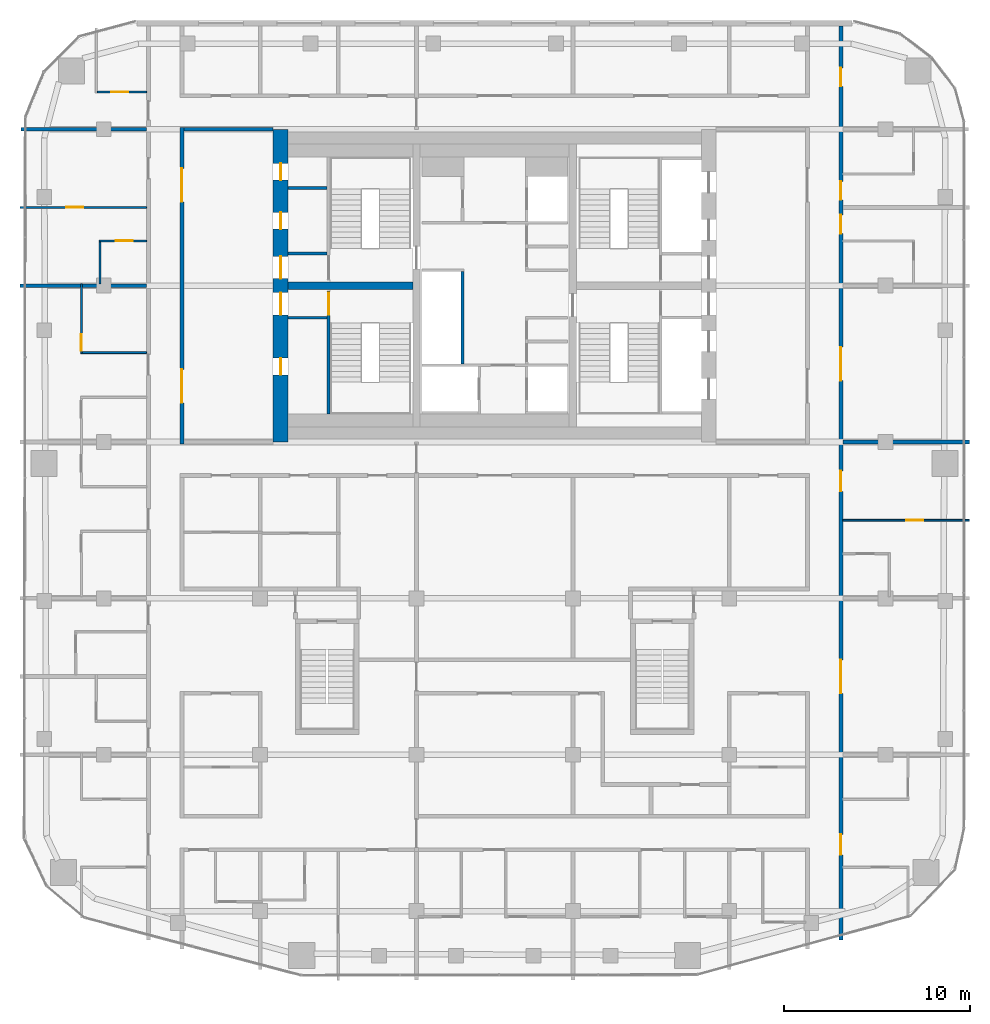
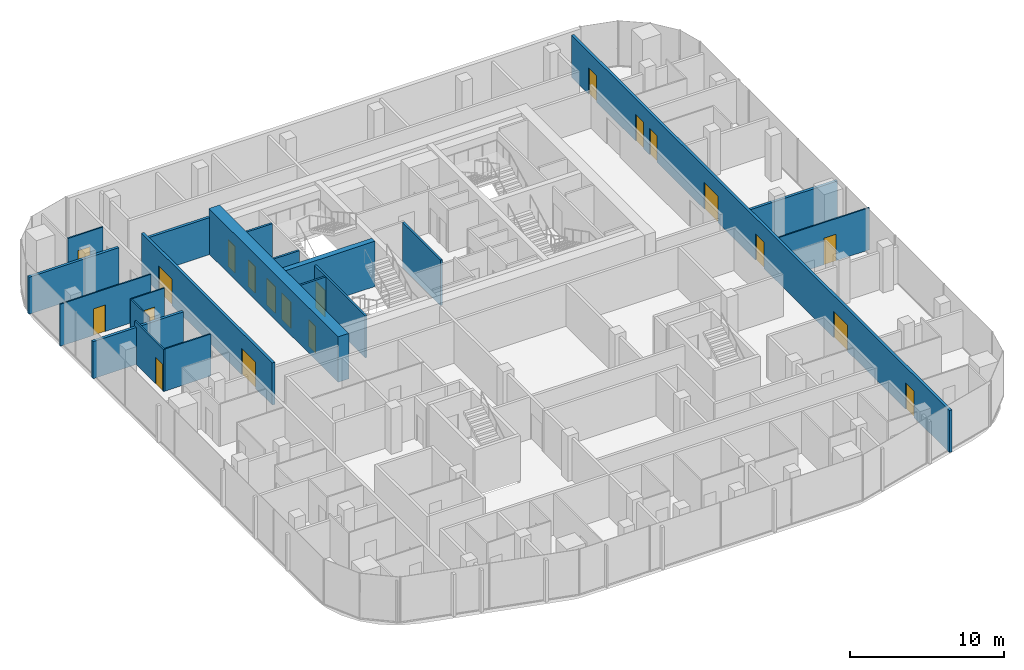
# One storey, part 17 of 21: 20 doors, 20 walls, 20 openings.
"""IFC4 building model written with IfcOpenShell, lengths in metres."""

from ifc_helpers import new_model, si_unit, direction, frame, frame_2d, origin, place, context, subcontext, project, spatial, rectangle, extrude, material, layer, layer_set, type_object, element, fill, save


model = new_model("IFC4")

# Units and contexts
model_context = context("Model", 3, precision=1e-05, world=origin(), true_north=direction((0.0, 1.0)))
body_context = subcontext(model_context, "Body", "Model", "MODEL_VIEW")
ifc_project = project(units=[si_unit("LENGTHUNIT", "METRE"), si_unit("AREAUNIT", "SQUARE_METRE"), si_unit("VOLUMEUNIT", "CUBIC_METRE"), si_unit("PLANEANGLEUNIT", "RADIAN"), si_unit("MASSUNIT", "GRAM", prefix="KILO")], contexts=[model_context])

# Site, building, storey
site_placement = place(None, origin())
site = spatial("IfcSite", under=ifc_project, at=site_placement, CompositionType="ELEMENT")
building_placement = place(site_placement, origin())
building = spatial("IfcBuilding", under=site, at=building_placement, Name="Marenta Gate Hotel Tower", CompositionType="ELEMENT")
storey_placement = place(building_placement, frame((0.0, 0.0, 202.10009765625)))
storey = spatial("IfcBuildingStorey", under=building, at=storey_placement, Name="L46", CompositionType="ELEMENT", Elevation=202.10009765625)

# Wall, openings, doors
ifc_material_1 = material(Name="Concrete blockwork", Category="masonry")
ifc_layer_1 = layer(ifc_material_1, 0.199951171875)
ifc_layer_set_1 = layer_set([ifc_layer_1], Name="Concrete blockwork")
wall_type_1 = type_object("IfcWallType", Name="Core boundary wall 200 REI 180", PredefinedType="PARTITIONING", material=ifc_layer_set_1)
wall_1_placement = place(storey_placement, frame((-16.800048828125, -0.10009765625, 0.0), z_axis=(0.0, 0.0, 1.0), x_axis=(0.0, 1.0, 0.0)))
wall_1 = element("IfcWall", 1, at=wall_1_placement, inside=storey, type_object=wall_type_1, Name="L46-CP-BW-W", PredefinedType="PARTITIONING", context=body_context, shape_type="SweptSolid", body=[
    extrude(rectangle(XDim=17.0, YDim=0.199951171875, at=frame_2d((8.5, 0.0))), origin(), (0.0, 0.0, 1.0), 3.33984375),
])
opening_1_placement = place(wall_1_placement, frame((2.199951171875, 0.0, 0.0)))
opening_1 = element("IfcOpeningElement", 2, at=opening_1_placement, cuts=wall_1, Name="Opening ED-Wa-B", PredefinedType="OPENING", context=body_context, shape_type="SweptSolid", body=[
    extrude(rectangle(XDim=1.800048828125, YDim=2.10009765625, at=frame_2d((0.89990234375, 1.050048828125))), frame((0.0, 0.10009765625, 0.0), z_axis=(0.0, -1.0, 0.0), x_axis=(1.0, 0.0, 0.0)), (0.0, 0.0, 1.0), 0.199951171875),
])
opening_2_placement = place(wall_1_placement, frame((13.0, 0.0, 0.0)))
opening_2 = element("IfcOpeningElement", 3, at=opening_2_placement, cuts=wall_1, Name="Opening ED-Wb-B", PredefinedType="OPENING", context=body_context, shape_type="SweptSolid", body=[
    extrude(rectangle(XDim=1.800048828125, YDim=2.10009765625, at=frame_2d((0.89990234375, 1.050048828125))), frame((0.0, 0.10009765625, 0.0), z_axis=(0.0, -1.0, 0.0), x_axis=(1.0, 0.0, 0.0)), (0.0, 0.0, 1.0), 0.199951171875),
])
ifc_material_2 = material(Name="Steel", Category="steel")
door_type_1 = type_object("IfcDoorType", Name="Core lobby entrance door 1800x2100 EI 60", OperationType="DOUBLE_DOOR_SINGLE_SWING", PredefinedType="DOOR", material=ifc_material_2)
door_1_placement = place(opening_1_placement, origin())
door_1 = element("IfcDoor", 4, at=door_1_placement, inside=storey, type_object=door_type_1, Name="ED-Wa-B", OperationType="DOUBLE_DOOR_SINGLE_SWING", OverallHeight=2.10009765625, OverallWidth=1.800048828125, PredefinedType="DOOR", context=body_context, shape_type="SweptSolid", body=[
    extrude(rectangle(XDim=1.800048828125, YDim=2.10009765625, at=frame_2d((0.89990234375, 1.050048828125))), frame((0.0, 0.02490234375, 0.0), z_axis=(0.0, -1.0, 0.0), x_axis=(1.0, 0.0, 0.0)), (0.0, 0.0, 1.0), 0.050048828125),
])
fill(opening_1, door_1)
door_2_placement = place(opening_2_placement, origin())
door_2 = element("IfcDoor", 5, at=door_2_placement, inside=storey, type_object=door_type_1, Name="ED-Wb-B", OperationType="DOUBLE_DOOR_SINGLE_SWING", OverallHeight=2.10009765625, OverallWidth=1.800048828125, PredefinedType="DOOR", context=body_context, shape_type="SweptSolid", body=[
    extrude(rectangle(XDim=1.800048828125, YDim=2.10009765625, at=frame_2d((0.89990234375, 1.050048828125))), frame((0.0, 0.02490234375, 0.0), z_axis=(0.0, -1.0, 0.0), x_axis=(1.0, 0.0, 0.0)), (0.0, 0.0, 1.0), 0.050048828125),
])
fill(opening_2, door_2)

# Walls
wall_2_placement = place(storey_placement, frame((-16.699951171875, 16.800048828125, 0.0), z_axis=(0.0, 0.0, 1.0), x_axis=(1.0, 0.0, 0.0)))
element("IfcWall", 6, at=wall_2_placement, inside=storey, type_object=wall_type_1, Name="L46-CP-EW-WN", PredefinedType="PARTITIONING", context=body_context, shape_type="SweptSolid", body=[
    extrude(rectangle(XDim=4.800048828125, YDim=0.199951171875, at=frame_2d((2.39990234375, 0.0))), origin(), (0.0, 0.0, 1.0), 2.93994140625),
])
ifc_material_3 = material(Name="Concrete blockwork", Category="masonry")
ifc_layer_2 = layer(ifc_material_3, 0.14990234375)
ifc_layer_set_2 = layer_set([ifc_layer_2], Name="Concrete blockwork")
wall_type_2 = type_object("IfcWallType", Name="Core room partition 150 REI 180", PredefinedType="PARTITIONING", material=ifc_layer_set_2)
for number, where, z_axis, x_axis, name in (
    (7, (-11.10009765625, 6.675048828125, 0.0), (0.0, 0.0, 1.0), (1.0, 0.0, 0.0), "L46-CP-SW-WS-2"),
    (8, (-11.10009765625, 10.125, 0.0), (0.0, 0.0, 1.0), (1.0, 0.0, 0.0), "L46-CP-SW-WN-2"),
    (9, (-11.10009765625, 13.64990234375, 0.0), (0.0, 0.0, 1.0), (1.0, 0.0, 0.0), "L46-CP-RW-WN-1"),
):
    element("IfcWall", number, at=place(storey_placement, frame(where, z_axis=z_axis, x_axis=x_axis)), inside=storey, type_object=wall_type_2, Name=name, PredefinedType="PARTITIONING", context=body_context, shape_type="SweptSolid", body=[
        extrude(rectangle(XDim=2.10009765625, YDim=0.14990234375, at=frame_2d((1.050048828125, 0.0))), origin(), (0.0, 0.0, 1.0), 3.33984375),
    ])
ifc_material_4 = material(Name="Concrete C40", Category="concrete")
ifc_layer_3 = layer(ifc_material_4, 0.14990234375)
ifc_layer_set_3 = layer_set([ifc_layer_3], Name="Concrete C40")
wall_type_3 = type_object("IfcWallType", Name="Core shaft wall 150 REI 180", PredefinedType="SHEAR", material=ifc_layer_set_3)
wall_3_placement = place(storey_placement, frame((-1.72509765625, 4.199951171875, 0.0), z_axis=(0.0, 0.0, 1.0), x_axis=(0.0, 1.0, 0.0)))
element("IfcWall", 10, at=wall_3_placement, inside=storey, type_object=wall_type_3, Name="L46-SHF-CW-W-front", PredefinedType="SHEAR", context=body_context, shape_type="SweptSolid", body=[
    extrude(rectangle(XDim=4.949951171875, YDim=0.14990234375, at=frame_2d((2.47509765625, 0.0))), origin(), (0.0, 0.0, 1.0), 3.599853515625),
])

# Wall, opening, door
ifc_material_5 = material(Name="Concrete C40", Category="concrete")
ifc_layer_4 = layer(ifc_material_5, 0.14990234375)
ifc_layer_set_4 = layer_set([ifc_layer_4], Name="Concrete C40")
wall_type_4 = type_object("IfcWallType", Name="Core stair enclosure wall 150 REI 180", PredefinedType="SHEAR", material=ifc_layer_set_4)
wall_4_placement = place(storey_placement, frame((-8.925048828125, 1.5, 0.0), z_axis=(0.0, 0.0, 1.0), x_axis=(0.0, 1.0, 0.0)))
wall_4 = element("IfcWall", 11, at=wall_4_placement, inside=storey, type_object=wall_type_4, Name="L46-SHF-SW-WS-3", PredefinedType="SHEAR", context=body_context, shape_type="SweptSolid", body=[
    extrude(rectangle(XDim=6.60009765625, YDim=0.14990234375, at=frame_2d((3.300048828125, 0.0))), origin(), (0.0, 0.0, 1.0), 3.33984375),
])
opening_3_placement = place(wall_4_placement, frame((5.324951171875, 0.0, 0.0)))
opening_3 = element("IfcOpeningElement", 12, at=opening_3_placement, cuts=wall_4, Name="Opening SD-WS", PredefinedType="OPENING", context=body_context, shape_type="SweptSolid", body=[
    extrude(rectangle(XDim=1.199951171875, YDim=2.10009765625, at=frame_2d((0.60009765625, 1.050048828125))), frame((0.0, 0.074951171875, 0.0), z_axis=(0.0, -1.0, 0.0), x_axis=(1.0, 0.0, 0.0)), (0.0, 0.0, 1.0), 0.14990234375),
])
ifc_material_6 = material(Name="Steel", Category="steel")
door_type_2 = type_object("IfcDoorType", Name="Core stair door 1200x2100 FD60", OperationType="SINGLE_SWING_LEFT", PredefinedType="DOOR", material=ifc_material_6)
door_3_placement = place(opening_3_placement, origin())
door_3 = element("IfcDoor", 13, at=door_3_placement, inside=storey, type_object=door_type_2, Name="SD-WS", OperationType="SINGLE_SWING_LEFT", OverallHeight=2.10009765625, OverallWidth=1.199951171875, PredefinedType="DOOR", context=body_context, shape_type="SweptSolid", body=[
    extrude(rectangle(XDim=1.199951171875, YDim=2.10009765625, at=frame_2d((0.60009765625, 1.050048828125))), frame((0.0, 0.02490234375, 0.0), z_axis=(0.0, -1.0, 0.0), x_axis=(1.0, 0.0, 0.0)), (0.0, 0.0, 1.0), 0.050048828125),
])
fill(opening_3, door_3)

# Wall, openings, doors
ifc_material_7 = material(Name="Concrete C60", Category="concrete")
ifc_layer_5 = layer(ifc_material_7, 0.800048828125)
ifc_layer_set_5 = layer_set([ifc_layer_5], Name="Concrete C60")
wall_type_5 = type_object("IfcWallType", Name="Core wall 800 C60", PredefinedType="SHEAR", material=ifc_layer_set_5)
wall_5_placement = place(storey_placement, frame((-11.5, 0.0, 0.0), z_axis=(0.0, 0.0, 1.0), x_axis=(0.0, 1.0, 0.0)))
wall_5 = element("IfcWall", 14, at=wall_5_placement, inside=storey, type_object=wall_type_5, Name="L46-CORE-W", PredefinedType="SHEAR", context=body_context, shape_type="SweptSolid", body=[
    extrude(rectangle(XDim=16.800048828125, YDim=0.800048828125, at=frame_2d((8.39990234375, 0.0))), origin(), (0.0, 0.0, 1.0), 3.599853515625),
])
opening_4_placement = place(wall_5_placement, frame((3.60009765625, 0.0, 0.0)))
opening_4 = element("IfcOpeningElement", 15, at=opening_4_placement, cuts=wall_5, Name="Opening RD-WS-1", PredefinedType="OPENING", context=body_context, shape_type="SweptSolid", body=[
    extrude(rectangle(XDim=0.89990234375, YDim=2.10009765625, at=frame_2d((0.449951171875, 1.050048828125))), frame((0.0, 0.39990234375, 0.0), z_axis=(0.0, -1.0, 0.0), x_axis=(1.0, 0.0, 0.0)), (0.0, 0.0, 1.0), 0.800048828125),
])
opening_5_placement = place(wall_5_placement, frame((6.824951171875, 0.0, 0.0)))
opening_5 = element("IfcOpeningElement", 16, at=opening_5_placement, cuts=wall_5, Name="Opening PD-WS", PredefinedType="OPENING", context=body_context, shape_type="SweptSolid", body=[
    extrude(rectangle(XDim=1.199951171875, YDim=2.10009765625, at=frame_2d((0.60009765625, 1.050048828125))), frame((0.0, 0.39990234375, 0.0), z_axis=(0.0, -1.0, 0.0), x_axis=(1.0, 0.0, 0.0)), (0.0, 0.0, 1.0), 0.800048828125),
])
opening_6_placement = place(wall_5_placement, frame((14.0625, 0.0, 0.0)))
opening_6 = element("IfcOpeningElement", 17, at=opening_6_placement, cuts=wall_5, Name="Opening RD-WN-1", PredefinedType="OPENING", context=body_context, shape_type="SweptSolid", body=[
    extrude(rectangle(XDim=0.89990234375, YDim=2.10009765625, at=frame_2d((0.449951171875, 1.050048828125))), frame((0.0, 0.39990234375, 0.0), z_axis=(0.0, -1.0, 0.0), x_axis=(1.0, 0.0, 0.0)), (0.0, 0.0, 1.0), 0.800048828125),
])
opening_7_placement = place(wall_5_placement, frame((11.4375, 0.0, 0.0)))
opening_7 = element("IfcOpeningElement", 18, at=opening_7_placement, cuts=wall_5, Name="Opening RD-WN-2", PredefinedType="OPENING", context=body_context, shape_type="SweptSolid", body=[
    extrude(rectangle(XDim=0.89990234375, YDim=2.10009765625, at=frame_2d((0.449951171875, 1.050048828125))), frame((0.0, 0.39990234375, 0.0), z_axis=(0.0, -1.0, 0.0), x_axis=(1.0, 0.0, 0.0)), (0.0, 0.0, 1.0), 0.800048828125),
])
opening_8_placement = place(wall_5_placement, frame((8.77490234375, 0.0, 0.0)))
opening_8 = element("IfcOpeningElement", 19, at=opening_8_placement, cuts=wall_5, Name="Opening PD-WN", PredefinedType="OPENING", context=body_context, shape_type="SweptSolid", body=[
    extrude(rectangle(XDim=1.199951171875, YDim=2.10009765625, at=frame_2d((0.60009765625, 1.050048828125))), frame((0.0, 0.39990234375, 0.0), z_axis=(0.0, -1.0, 0.0), x_axis=(1.0, 0.0, 0.0)), (0.0, 0.0, 1.0), 0.800048828125),
])
ifc_material_8 = material(Name="Steel", Category="steel")
door_type_3 = type_object("IfcDoorType", Name="Core lobby door 1200x2100 FD60", OperationType="SINGLE_SWING_LEFT", PredefinedType="DOOR", material=ifc_material_8)
door_4_placement = place(opening_5_placement, origin())
door_4 = element("IfcDoor", 20, at=door_4_placement, inside=storey, type_object=door_type_3, Name="PD-WS", OperationType="SINGLE_SWING_LEFT", OverallHeight=2.10009765625, OverallWidth=1.199951171875, PredefinedType="DOOR", context=body_context, shape_type="SweptSolid", body=[
    extrude(rectangle(XDim=1.199951171875, YDim=2.10009765625, at=frame_2d((0.60009765625, 1.050048828125))), frame((0.0, 0.02490234375, 0.0), z_axis=(0.0, -1.0, 0.0), x_axis=(1.0, 0.0, 0.0)), (0.0, 0.0, 1.0), 0.050048828125),
])
fill(opening_5, door_4)
door_5_placement = place(opening_8_placement, origin())
door_5 = element("IfcDoor", 21, at=door_5_placement, inside=storey, type_object=door_type_3, Name="PD-WN", OperationType="SINGLE_SWING_LEFT", OverallHeight=2.10009765625, OverallWidth=1.199951171875, PredefinedType="DOOR", context=body_context, shape_type="SweptSolid", body=[
    extrude(rectangle(XDim=1.199951171875, YDim=2.10009765625, at=frame_2d((0.60009765625, 1.050048828125))), frame((0.0, 0.02490234375, 0.0), z_axis=(0.0, -1.0, 0.0), x_axis=(1.0, 0.0, 0.0)), (0.0, 0.0, 1.0), 0.050048828125),
])
fill(opening_8, door_5)
ifc_material_9 = material(Name="Steel", Category="steel")
door_type_4 = type_object("IfcDoorType", Name="Core service room door 900x2100 FD30S", OperationType="SINGLE_SWING_LEFT", PredefinedType="DOOR", material=ifc_material_9)
door_6_placement = place(opening_4_placement, origin())
door_6 = element("IfcDoor", 22, at=door_6_placement, inside=storey, type_object=door_type_4, Name="RD-WS-1", OperationType="SINGLE_SWING_LEFT", OverallHeight=2.10009765625, OverallWidth=0.89990234375, PredefinedType="DOOR", context=body_context, shape_type="SweptSolid", body=[
    extrude(rectangle(XDim=0.89990234375, YDim=2.10009765625, at=frame_2d((0.449951171875, 1.050048828125))), frame((0.0, 0.02490234375, 0.0), z_axis=(0.0, -1.0, 0.0), x_axis=(1.0, 0.0, 0.0)), (0.0, 0.0, 1.0), 0.050048828125),
])
fill(opening_4, door_6)
door_7_placement = place(opening_6_placement, origin())
door_7 = element("IfcDoor", 23, at=door_7_placement, inside=storey, type_object=door_type_4, Name="RD-WN-1", OperationType="SINGLE_SWING_LEFT", OverallHeight=2.10009765625, OverallWidth=0.89990234375, PredefinedType="DOOR", context=body_context, shape_type="SweptSolid", body=[
    extrude(rectangle(XDim=0.89990234375, YDim=2.10009765625, at=frame_2d((0.449951171875, 1.050048828125))), frame((0.0, 0.02490234375, 0.0), z_axis=(0.0, -1.0, 0.0), x_axis=(1.0, 0.0, 0.0)), (0.0, 0.0, 1.0), 0.050048828125),
])
fill(opening_6, door_7)
door_8_placement = place(opening_7_placement, origin())
door_8 = element("IfcDoor", 24, at=door_8_placement, inside=storey, type_object=door_type_4, Name="RD-WN-2", OperationType="SINGLE_SWING_LEFT", OverallHeight=2.10009765625, OverallWidth=0.89990234375, PredefinedType="DOOR", context=body_context, shape_type="SweptSolid", body=[
    extrude(rectangle(XDim=0.89990234375, YDim=2.10009765625, at=frame_2d((0.449951171875, 1.050048828125))), frame((0.0, 0.02490234375, 0.0), z_axis=(0.0, -1.0, 0.0), x_axis=(1.0, 0.0, 0.0)), (0.0, 0.0, 1.0), 0.050048828125),
])
fill(opening_7, door_8)

# Wall
ifc_material_10 = material(Name="Concrete C60", Category="concrete")
ifc_layer_6 = layer(ifc_material_10, 0.39990234375)
ifc_layer_set_6 = layer_set([ifc_layer_6], Name="Concrete C60")
wall_type_6 = type_object("IfcWallType", Name="Core web 400 C60", PredefinedType="SHEAR", material=ifc_layer_set_6)
wall_6_placement = place(storey_placement, frame((-11.10009765625, 8.39990234375, 0.0), z_axis=(0.0, 0.0, 1.0), x_axis=(1.0, 0.0, 0.0)))
element("IfcWall", 25, at=wall_6_placement, inside=storey, type_object=wall_type_6, Name="L46-CORE-W3", PredefinedType="SHEAR", context=body_context, shape_type="SweptSolid", body=[
    extrude(rectangle(XDim=6.7001953125, YDim=0.39990234375, at=frame_2d((3.35009765625, 0.0))), origin(), (0.0, 0.0, 1.0), 3.599853515625),
])

# Wall, openings, doors
ifc_material_11 = material(Name="Gypsum board on steel stud", Category="steel")
ifc_layer_7 = layer(ifc_material_11, 0.199951171875)
ifc_layer_set_7 = layer_set([ifc_layer_7], Name="Gypsum board on steel stud")
wall_type_7 = type_object("IfcWallType", Name="Room corridor wall 200 EI 60", PredefinedType="PARTITIONING", material=ifc_layer_set_7)
wall_7_placement = place(storey_placement, frame((18.60009765625, -26.7509765625, 0.0), z_axis=(0.0, 0.0, 1.0), x_axis=(0.0, 1.0, 0.0)))
wall_7 = element("IfcWall", 26, at=wall_7_placement, inside=storey, type_object=wall_type_7, Name="L46-PTN-W019", PredefinedType="PARTITIONING", context=body_context, shape_type="SweptSolid", body=[
    extrude(rectangle(XDim=49.091064453125, YDim=0.199951171875, at=frame_2d((24.54541015625, 0.0))), origin(), (0.0, 0.0, 1.0), 3.33984375),
])
opening_9_placement = place(wall_7_placement, frame((4.575927734375, 0.0, 0.0)))
opening_9 = element("IfcOpeningElement", 27, at=opening_9_placement, cuts=wall_7, Name="Opening G16-16", PredefinedType="OPENING", context=body_context, shape_type="SweptSolid", body=[
    extrude(rectangle(XDim=1.10009765625, YDim=2.10009765625, at=frame_2d((0.550048828125, 1.050048828125))), frame((0.0, 0.10009765625, 0.0), z_axis=(0.0, -1.0, 0.0), x_axis=(1.0, 0.0, 0.0)), (0.0, 0.0, 1.0), 0.199951171875),
])
opening_10_placement = place(wall_7_placement, frame((13.2509765625, 0.0, 0.0)))
opening_10 = element("IfcOpeningElement", 28, at=opening_10_placement, cuts=wall_7, Name="Opening G16-19", PredefinedType="OPENING", context=body_context, shape_type="SweptSolid", body=[
    extrude(rectangle(XDim=1.800048828125, YDim=2.10009765625, at=frame_2d((0.89990234375, 1.050048828125))), frame((0.0, 0.10009765625, 0.0), z_axis=(0.0, -1.0, 0.0), x_axis=(1.0, 0.0, 0.0)), (0.0, 0.0, 1.0), 0.199951171875),
])
opening_11_placement = place(wall_7_placement, frame((24.10107421875, 0.0, 0.0)))
opening_11 = element("IfcOpeningElement", 29, at=opening_11_placement, cuts=wall_7, Name="Opening G16-20", PredefinedType="OPENING", context=body_context, shape_type="SweptSolid", body=[
    extrude(rectangle(XDim=1.10009765625, YDim=2.10009765625, at=frame_2d((0.550048828125, 1.050048828125))), frame((0.0, 0.10009765625, 0.0), z_axis=(0.0, -1.0, 0.0), x_axis=(1.0, 0.0, 0.0)), (0.0, 0.0, 1.0), 0.199951171875),
])
opening_12_placement = place(wall_7_placement, frame((30.051025390625, 0.0, 0.0)))
opening_12 = element("IfcOpeningElement", 30, at=opening_12_placement, cuts=wall_7, Name="Opening G16-23", PredefinedType="OPENING", context=body_context, shape_type="SweptSolid", body=[
    extrude(rectangle(XDim=1.800048828125, YDim=2.10009765625, at=frame_2d((0.89990234375, 1.050048828125))), frame((0.0, 0.10009765625, 0.0), z_axis=(0.0, -1.0, 0.0), x_axis=(1.0, 0.0, 0.0)), (0.0, 0.0, 1.0), 0.199951171875),
])
opening_13_placement = place(wall_7_placement, frame((37.950927734375, 0.0, 0.0)))
opening_13 = element("IfcOpeningElement", 31, at=opening_13_placement, cuts=wall_7, Name="Opening G16-24", PredefinedType="OPENING", context=body_context, shape_type="SweptSolid", body=[
    extrude(rectangle(XDim=1.0, YDim=2.10009765625, at=frame_2d((0.5, 1.050048828125))), frame((0.0, 0.10009765625, 0.0), z_axis=(0.0, -1.0, 0.0), x_axis=(1.0, 0.0, 0.0)), (0.0, 0.0, 1.0), 0.199951171875),
])
opening_14_placement = place(wall_7_placement, frame((39.7509765625, 0.0, 0.0)))
opening_14 = element("IfcOpeningElement", 32, at=opening_14_placement, cuts=wall_7, Name="Opening G16-26", PredefinedType="OPENING", context=body_context, shape_type="SweptSolid", body=[
    extrude(rectangle(XDim=1.0, YDim=2.10009765625, at=frame_2d((0.5, 1.050048828125))), frame((0.0, 0.10009765625, 0.0), z_axis=(0.0, -1.0, 0.0), x_axis=(1.0, 0.0, 0.0)), (0.0, 0.0, 1.0), 0.199951171875),
])
opening_15_placement = place(wall_7_placement, frame((45.85107421875, 0.0, 0.0)))
opening_15 = element("IfcOpeningElement", 33, at=opening_15_placement, cuts=wall_7, Name="Opening G16-28", PredefinedType="OPENING", context=body_context, shape_type="SweptSolid", body=[
    extrude(rectangle(XDim=1.0, YDim=2.10009765625, at=frame_2d((0.5, 1.050048828125))), frame((0.0, 0.10009765625, 0.0), z_axis=(0.0, -1.0, 0.0), x_axis=(1.0, 0.0, 0.0)), (0.0, 0.0, 1.0), 0.199951171875),
])
ifc_material_12 = material(Name="Timber door leaf", Category="wood")
door_type_5 = type_object("IfcDoorType", Name="Guest room door 1000x2100 EI 30", OperationType="NOTDEFINED", PredefinedType="DOOR", material=ifc_material_12)
door_9_placement = place(opening_13_placement, origin())
door_9 = element("IfcDoor", 34, at=door_9_placement, inside=storey, type_object=door_type_5, Name="L46-PD-D024", OperationType="SINGLE_SWING_RIGHT", OverallHeight=2.10009765625, OverallWidth=1.0, PredefinedType="DOOR", context=body_context, shape_type="SweptSolid", body=[
    extrude(rectangle(XDim=1.0, YDim=2.10009765625, at=frame_2d((0.5, 1.050048828125))), frame((0.0, 0.02490234375, 0.0), z_axis=(0.0, -1.0, 0.0), x_axis=(1.0, 0.0, 0.0)), (0.0, 0.0, 1.0), 0.050048828125),
])
fill(opening_13, door_9)
door_10_placement = place(opening_14_placement, origin())
door_10 = element("IfcDoor", 35, at=door_10_placement, inside=storey, type_object=door_type_5, Name="L46-PD-D026", OperationType="SINGLE_SWING_RIGHT", OverallHeight=2.10009765625, OverallWidth=1.0, PredefinedType="DOOR", context=body_context, shape_type="SweptSolid", body=[
    extrude(rectangle(XDim=1.0, YDim=2.10009765625, at=frame_2d((0.5, 1.050048828125))), frame((0.0, 0.02490234375, 0.0), z_axis=(0.0, -1.0, 0.0), x_axis=(1.0, 0.0, 0.0)), (0.0, 0.0, 1.0), 0.050048828125),
])
fill(opening_14, door_10)
ifc_material_13 = material(Name="Timber door leaf", Category="wood")
door_type_6 = type_object("IfcDoorType", Name="Guest room door 1100x2100 EI 30", OperationType="NOTDEFINED", PredefinedType="DOOR", material=ifc_material_13)
door_11_placement = place(opening_9_placement, origin())
door_11 = element("IfcDoor", 36, at=door_11_placement, inside=storey, type_object=door_type_6, Name="L46-PD-D016", OperationType="SINGLE_SWING_RIGHT", OverallHeight=2.10009765625, OverallWidth=1.10009765625, PredefinedType="DOOR", context=body_context, shape_type="SweptSolid", body=[
    extrude(rectangle(XDim=1.10009765625, YDim=2.10009765625, at=frame_2d((0.550048828125, 1.050048828125))), frame((0.0, 0.02490234375, 0.0), z_axis=(0.0, -1.0, 0.0), x_axis=(1.0, 0.0, 0.0)), (0.0, 0.0, 1.0), 0.050048828125),
])
fill(opening_9, door_11)
door_12_placement = place(opening_11_placement, origin())
door_12 = element("IfcDoor", 37, at=door_12_placement, inside=storey, type_object=door_type_6, Name="L46-PD-D020", OperationType="SINGLE_SWING_RIGHT", OverallHeight=2.10009765625, OverallWidth=1.10009765625, PredefinedType="DOOR", context=body_context, shape_type="SweptSolid", body=[
    extrude(rectangle(XDim=1.10009765625, YDim=2.10009765625, at=frame_2d((0.550048828125, 1.050048828125))), frame((0.0, 0.02490234375, 0.0), z_axis=(0.0, -1.0, 0.0), x_axis=(1.0, 0.0, 0.0)), (0.0, 0.0, 1.0), 0.050048828125),
])
fill(opening_11, door_12)
ifc_material_14 = material(Name="Timber door leaf", Category="wood")
door_type_7 = type_object("IfcDoorType", Name="Room amenity door 1000x2100 EI 30", OperationType="NOTDEFINED", PredefinedType="DOOR", material=ifc_material_14)
door_13_placement = place(opening_15_placement, origin())
door_13 = element("IfcDoor", 38, at=door_13_placement, inside=storey, type_object=door_type_7, Name="L46-PD-D028", OperationType="SINGLE_SWING_LEFT", OverallHeight=2.10009765625, OverallWidth=1.0, PredefinedType="DOOR", context=body_context, shape_type="SweptSolid", body=[
    extrude(rectangle(XDim=1.0, YDim=2.10009765625, at=frame_2d((0.5, 1.050048828125))), frame((0.0, 0.02490234375, 0.0), z_axis=(0.0, -1.0, 0.0), x_axis=(1.0, 0.0, 0.0)), (0.0, 0.0, 1.0), 0.050048828125),
])
fill(opening_15, door_13)
ifc_material_15 = material(Name="Timber door leaf", Category="wood")
door_type_8 = type_object("IfcDoorType", Name="Room amenity door 1800x2100 EI 30", OperationType="DOUBLE_DOOR_SINGLE_SWING", PredefinedType="DOOR", material=ifc_material_15)
door_14_placement = place(opening_10_placement, origin())
door_14 = element("IfcDoor", 39, at=door_14_placement, inside=storey, type_object=door_type_8, Name="L46-PD-D019", OperationType="DOUBLE_DOOR_SINGLE_SWING", OverallHeight=2.10009765625, OverallWidth=1.800048828125, PredefinedType="DOOR", context=body_context, shape_type="SweptSolid", body=[
    extrude(rectangle(XDim=1.800048828125, YDim=2.10009765625, at=frame_2d((0.89990234375, 1.050048828125))), frame((0.0, 0.02490234375, 0.0), z_axis=(0.0, -1.0, 0.0), x_axis=(1.0, 0.0, 0.0)), (0.0, 0.0, 1.0), 0.050048828125),
])
fill(opening_10, door_14)
door_15_placement = place(opening_12_placement, origin())
door_15 = element("IfcDoor", 40, at=door_15_placement, inside=storey, type_object=door_type_8, Name="L46-PD-D023", OperationType="DOUBLE_DOOR_SINGLE_SWING", OverallHeight=2.10009765625, OverallWidth=1.800048828125, PredefinedType="DOOR", context=body_context, shape_type="SweptSolid", body=[
    extrude(rectangle(XDim=1.800048828125, YDim=2.10009765625, at=frame_2d((0.89990234375, 1.050048828125))), frame((0.0, 0.02490234375, 0.0), z_axis=(0.0, -1.0, 0.0), x_axis=(1.0, 0.0, 0.0)), (0.0, 0.0, 1.0), 0.050048828125),
])
fill(opening_12, door_15)

# Wall, opening, door
ifc_material_16 = material(Name="Gypsum board on steel stud", Category="steel")
ifc_layer_8 = layer(ifc_material_16, 0.10009765625)
ifc_layer_set_8 = layer_set([ifc_layer_8], Name="Gypsum board on steel stud")
wall_type_8 = type_object("IfcWallType", Name="Room partition 100", PredefinedType="PARTITIONING", material=ifc_layer_set_8)
wall_8_placement = place(storey_placement, frame((18.699951171875, -4.199951171875, 0.0), z_axis=(0.0, 0.0, 1.0), x_axis=(1.0, 0.0, 0.0)))
wall_8 = element("IfcWall", 41, at=wall_8_placement, inside=storey, type_object=wall_type_8, Name="L46-PTN-W062", PredefinedType="PARTITIONING", context=body_context, shape_type="SweptSolid", body=[
    extrude(rectangle(XDim=6.800048828125, YDim=0.10009765625, at=frame_2d((3.39990234375, 0.0))), origin(), (0.0, 0.0, 1.0), 3.33984375),
])
opening_16_placement = place(wall_8_placement, frame((3.409912109375, 0.0, 0.0)))
opening_16 = element("IfcOpeningElement", 42, at=opening_16_placement, cuts=wall_8, Name="Opening G16-21", PredefinedType="OPENING", context=body_context, shape_type="SweptSolid", body=[
    extrude(rectangle(XDim=0.89990234375, YDim=2.10009765625, at=frame_2d((0.449951171875, 1.050048828125))), frame((0.0, 0.050048828125, 0.0), z_axis=(0.0, -1.0, 0.0), x_axis=(1.0, 0.0, 0.0)), (0.0, 0.0, 1.0), 0.10009765625),
])
ifc_material_17 = material(Name="Timber door leaf", Category="wood")
door_type_9 = type_object("IfcDoorType", Name="Room inner door 900x2100", OperationType="NOTDEFINED", PredefinedType="DOOR", material=ifc_material_17)
door_16_placement = place(opening_16_placement, origin())
door_16 = element("IfcDoor", 43, at=door_16_placement, inside=storey, type_object=door_type_9, Name="L46-PD-D021", OperationType="SINGLE_SWING_RIGHT", OverallHeight=2.10009765625, OverallWidth=0.89990234375, PredefinedType="DOOR", context=body_context, shape_type="SweptSolid", body=[
    extrude(rectangle(XDim=0.89990234375, YDim=2.10009765625, at=frame_2d((0.449951171875, 1.050048828125))), frame((0.0, 0.02490234375, 0.0), z_axis=(0.0, -1.0, 0.0), x_axis=(1.0, 0.0, 0.0)), (0.0, 0.0, 1.0), 0.050048828125),
])
fill(opening_16, door_16)

# Wall
wall_9_placement = place(storey_placement, frame((-22.14990234375, 4.800048828125, 0.0), z_axis=(0.0, 0.0, 1.0), x_axis=(1.0, 0.0, 0.0)))
element("IfcWall", 44, at=wall_9_placement, inside=storey, type_object=wall_type_8, Name="L46-PTN-W074", PredefinedType="PARTITIONING", context=body_context, shape_type="SweptSolid", body=[
    extrude(rectangle(XDim=3.449951171875, YDim=0.10009765625, at=frame_2d((1.72509765625, 0.0))), origin(), (0.0, 0.0, 1.0), 3.33984375),
])

# Wall, opening, door
wall_10_placement = place(storey_placement, frame((-21.25, 10.800048828125, 0.0), z_axis=(0.0, 0.0, 1.0), x_axis=(1.0, 0.0, 0.0)))
wall_10 = element("IfcWall", 45, at=wall_10_placement, inside=storey, type_object=wall_type_8, Name="L46-PTN-W083", PredefinedType="PARTITIONING", context=body_context, shape_type="SweptSolid", body=[
    extrude(rectangle(XDim=2.550048828125, YDim=0.10009765625, at=frame_2d((1.27490234375, 0.0))), origin(), (0.0, 0.0, 1.0), 3.33984375),
])
opening_17_placement = place(wall_10_placement, frame((0.89990234375, 0.0, 0.0)))
opening_17 = element("IfcOpeningElement", 46, at=opening_17_placement, cuts=wall_10, Name="Opening G16-61", PredefinedType="OPENING", context=body_context, shape_type="SweptSolid", body=[
    extrude(rectangle(XDim=0.89990234375, YDim=2.10009765625, at=frame_2d((0.449951171875, 1.050048828125))), frame((0.0, 0.050048828125, 0.0), z_axis=(0.0, -1.0, 0.0), x_axis=(1.0, 0.0, 0.0)), (0.0, 0.0, 1.0), 0.10009765625),
])
ifc_material_18 = material(Name="Timber door leaf", Category="wood")
door_type_10 = type_object("IfcDoorType", Name="Guest bathroom door 900x2100", OperationType="NOTDEFINED", PredefinedType="DOOR", material=ifc_material_18)
door_17_placement = place(opening_17_placement, origin())
door_17 = element("IfcDoor", 47, at=door_17_placement, inside=storey, type_object=door_type_10, Name="L46-PD-D061", OperationType="SINGLE_SWING_LEFT", OverallHeight=2.10009765625, OverallWidth=0.89990234375, PredefinedType="DOOR", context=body_context, shape_type="SweptSolid", body=[
    extrude(rectangle(XDim=0.89990234375, YDim=2.10009765625, at=frame_2d((0.449951171875, 1.050048828125))), frame((0.0, 0.02490234375, 0.0), z_axis=(0.0, -1.0, 0.0), x_axis=(1.0, 0.0, 0.0)), (0.0, 0.0, 1.0), 0.050048828125),
])
fill(opening_17, door_17)

wall_11_placement = place(storey_placement, frame((-25.5, 12.60009765625, 0.0), z_axis=(0.0, 0.0, 1.0), x_axis=(1.0, 0.0, 0.0)))
wall_11 = element("IfcWall", 48, at=wall_11_placement, inside=storey, type_object=wall_type_8, Name="L46-PTN-W089", PredefinedType="PARTITIONING", context=body_context, shape_type="SweptSolid", body=[
    extrude(rectangle(XDim=6.800048828125, YDim=0.10009765625, at=frame_2d((3.39990234375, 0.0))), origin(), (0.0, 0.0, 1.0), 3.33984375),
])
opening_18_placement = place(wall_11_placement, frame((2.489990234375, 0.0, 0.0)))
opening_18 = element("IfcOpeningElement", 49, at=opening_18_placement, cuts=wall_11, Name="Opening G16-60", PredefinedType="OPENING", context=body_context, shape_type="SweptSolid", body=[
    extrude(rectangle(XDim=0.89990234375, YDim=2.10009765625, at=frame_2d((0.449951171875, 1.050048828125))), frame((0.0, 0.050048828125, 0.0), z_axis=(0.0, -1.0, 0.0), x_axis=(1.0, 0.0, 0.0)), (0.0, 0.0, 1.0), 0.10009765625),
])
door_18_placement = place(opening_18_placement, origin())
door_18 = element("IfcDoor", 50, at=door_18_placement, inside=storey, type_object=door_type_9, Name="L46-PD-D060", OperationType="SINGLE_SWING_RIGHT", OverallHeight=2.10009765625, OverallWidth=0.89990234375, PredefinedType="DOOR", context=body_context, shape_type="SweptSolid", body=[
    extrude(rectangle(XDim=0.89990234375, YDim=2.10009765625, at=frame_2d((0.449951171875, 1.050048828125))), frame((0.0, 0.02490234375, 0.0), z_axis=(0.0, -1.0, 0.0), x_axis=(1.0, 0.0, 0.0)), (0.0, 0.0, 1.0), 0.050048828125),
])
fill(opening_18, door_18)

wall_12_placement = place(storey_placement, frame((-21.35009765625, 18.800048828125, 0.0), z_axis=(0.0, 0.0, 1.0), x_axis=(1.0, 0.0, 0.0)))
wall_12 = element("IfcWall", 51, at=wall_12_placement, inside=storey, type_object=wall_type_8, Name="L46-PTN-W101", PredefinedType="PARTITIONING", context=body_context, shape_type="SweptSolid", body=[
    extrude(rectangle(XDim=2.650146484375, YDim=0.10009765625, at=frame_2d((1.3251953125, 0.0))), origin(), (0.0, 0.0, 1.0), 3.33984375),
])
opening_19_placement = place(wall_12_placement, frame((0.760009765625, 0.0, 0.0)))
opening_19 = element("IfcOpeningElement", 52, at=opening_19_placement, cuts=wall_12, Name="Opening G16-63", PredefinedType="OPENING", context=body_context, shape_type="SweptSolid", body=[
    extrude(rectangle(XDim=0.89990234375, YDim=2.10009765625, at=frame_2d((0.449951171875, 1.050048828125))), frame((0.0, 0.050048828125, 0.0), z_axis=(0.0, -1.0, 0.0), x_axis=(1.0, 0.0, 0.0)), (0.0, 0.0, 1.0), 0.10009765625),
])
door_19_placement = place(opening_19_placement, origin())
door_19 = element("IfcDoor", 53, at=door_19_placement, inside=storey, type_object=door_type_10, Name="L46-PD-D063", OperationType="SINGLE_SWING_LEFT", OverallHeight=2.10009765625, OverallWidth=0.89990234375, PredefinedType="DOOR", context=body_context, shape_type="SweptSolid", body=[
    extrude(rectangle(XDim=0.89990234375, YDim=2.10009765625, at=frame_2d((0.449951171875, 1.050048828125))), frame((0.0, 0.02490234375, 0.0), z_axis=(0.0, -1.0, 0.0), x_axis=(1.0, 0.0, 0.0)), (0.0, 0.0, 1.0), 0.050048828125),
])
fill(opening_19, door_19)

# Wall
wall_13_placement = place(storey_placement, frame((-21.199951171875, 8.5, 0.0), z_axis=(0.0, 0.0, 1.0), x_axis=(0.0, 1.0, 0.0)))
element("IfcWall", 54, at=wall_13_placement, inside=storey, type_object=wall_type_8, Name="L46-PTN-W102", PredefinedType="PARTITIONING", context=body_context, shape_type="SweptSolid", body=[
    extrude(rectangle(XDim=2.25, YDim=0.10009765625, at=frame_2d((1.125, 0.0))), origin(), (0.0, 0.0, 1.0), 3.33984375),
])

# Wall, opening, door
wall_14_placement = place(storey_placement, frame((-22.199951171875, 4.75, 0.0), z_axis=(0.0, 0.0, 1.0), x_axis=(0.0, 1.0, 0.0)))
wall_14 = element("IfcWall", 55, at=wall_14_placement, inside=storey, type_object=wall_type_8, Name="L46-PTN-W109", PredefinedType="PARTITIONING", context=body_context, shape_type="SweptSolid", body=[
    extrude(rectangle(XDim=3.75, YDim=0.10009765625, at=frame_2d((1.875, 0.0))), origin(), (0.0, 0.0, 1.0), 3.33984375),
])
opening_20_placement = place(wall_14_placement, frame((0.14990234375, 0.0, 0.0)))
opening_20 = element("IfcOpeningElement", 56, at=opening_20_placement, cuts=wall_14, Name="Opening G16-57", PredefinedType="OPENING", context=body_context, shape_type="SweptSolid", body=[
    extrude(rectangle(XDim=0.89990234375, YDim=2.10009765625, at=frame_2d((0.449951171875, 1.050048828125))), frame((0.0, 0.050048828125, 0.0), z_axis=(0.0, -1.0, 0.0), x_axis=(1.0, 0.0, 0.0)), (0.0, 0.0, 1.0), 0.10009765625),
])
door_20_placement = place(opening_20_placement, origin())
door_20 = element("IfcDoor", 57, at=door_20_placement, inside=storey, type_object=door_type_10, Name="L46-PD-D057", OperationType="SINGLE_SWING_RIGHT", OverallHeight=2.10009765625, OverallWidth=0.89990234375, PredefinedType="DOOR", context=body_context, shape_type="SweptSolid", body=[
    extrude(rectangle(XDim=0.89990234375, YDim=2.10009765625, at=frame_2d((0.449951171875, 1.050048828125))), frame((0.0, 0.02490234375, 0.0), z_axis=(0.0, -1.0, 0.0), x_axis=(1.0, 0.0, 0.0)), (0.0, 0.0, 1.0), 0.050048828125),
])
fill(opening_20, door_20)

# Walls
ifc_material_19 = material(Name="Gypsum board on steel stud", Category="steel")
ifc_layer_9 = layer(ifc_material_19, 0.199951171875)
ifc_layer_set_9 = layer_set([ifc_layer_9], Name="Gypsum board on steel stud")
wall_type_9 = type_object("IfcWallType", Name="Room party wall 200 EI 60", PredefinedType="PARTITIONING", material=ifc_layer_set_9)
for number, where, z_axis, x_axis, name in (
    (58, (18.699951171875, 0.0, 0.0), (0.0, 0.0, 1.0), (1.0, 0.0, 0.0), "L46-PTN-W067"),
    (59, (-25.5, 8.39990234375, 0.0), (0.0, 0.0, 1.0), (1.0, 0.0, 0.0), "L46-PTN-W079"),
):
    element("IfcWall", number, at=place(storey_placement, frame(where, z_axis=z_axis, x_axis=x_axis)), inside=storey, type_object=wall_type_9, Name=name, PredefinedType="PARTITIONING", context=body_context, shape_type="SweptSolid", body=[
        extrude(rectangle(XDim=6.800048828125, YDim=0.199951171875, at=frame_2d((3.39990234375, 0.0))), origin(), (0.0, 0.0, 1.0), 2.93994140625),
    ])
wall_15_placement = place(storey_placement, frame((-25.447021484375, 16.800048828125, 0.0), z_axis=(0.0, 0.0, 1.0), x_axis=(1.0, 0.0, 0.0)))
element("IfcWall", 60, at=wall_15_placement, inside=storey, type_object=wall_type_9, Name="L46-PTN-W097", PredefinedType="PARTITIONING", context=body_context, shape_type="SweptSolid", body=[
    extrude(rectangle(XDim=6.7470703125, YDim=0.199951171875, at=frame_2d((3.37353515625, 0.0))), origin(), (0.0, 0.0, 1.0), 2.93994140625),
])

save(model, "model.ifc")
